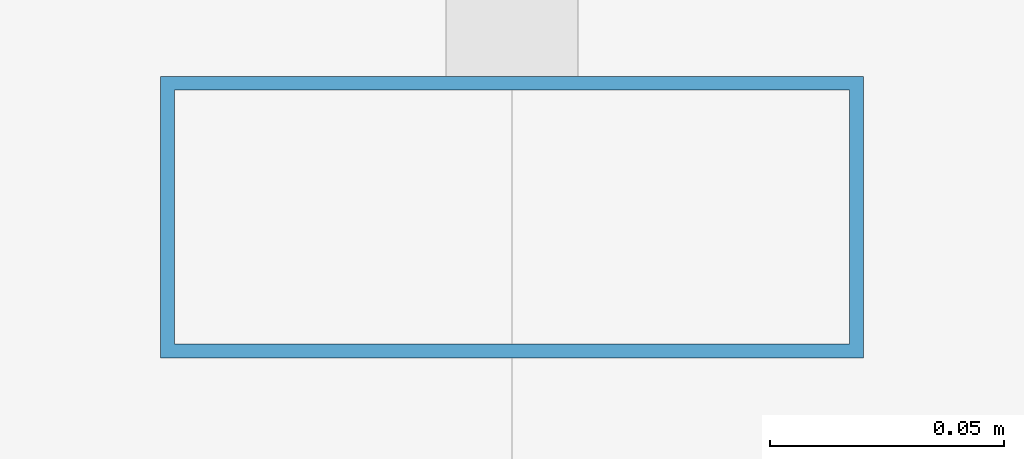
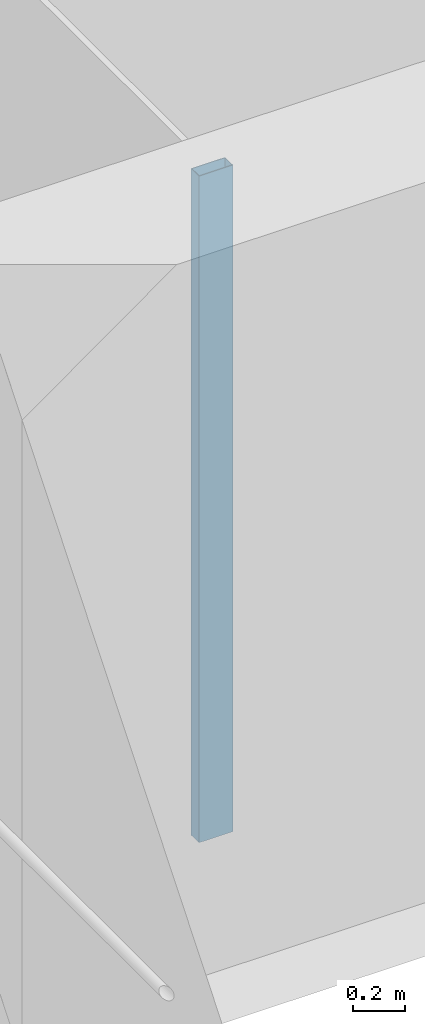
# One storey, part 11 of 46: 1 member, 1 element without a shape of its own.
"""IFC4 building model written with IfcOpenShell, lengths in metres."""

from ifc_helpers import new_model, si_unit, direction, frame, origin, origin_2d, place, context, subcontext, project, spatial, hollow_rectangle, extrude, material, material_profile, profile_set, type_object, element, aggregate, save


model = new_model("IFC4")

# Units and contexts
model_context = context("Model", 3, precision=1e-05, world=origin(), true_north=direction((0.0, 1.0)))
body_context = subcontext(model_context, "Body", "Model", "MODEL_VIEW")
ifc_project = project(units=[si_unit("LENGTHUNIT", "METRE"), si_unit("AREAUNIT", "SQUARE_METRE"), si_unit("VOLUMEUNIT", "CUBIC_METRE"), si_unit("PLANEANGLEUNIT", "RADIAN"), si_unit("MASSUNIT", "GRAM", prefix="KILO")], contexts=[model_context])

# Site, building, storey
site_placement = place(None, origin())
site = spatial("IfcSite", under=ifc_project, at=site_placement, CompositionType="ELEMENT")
building_placement = place(site_placement, origin())
building = spatial("IfcBuilding", under=site, at=building_placement, Name="Altepetl Exchange Towers", CompositionType="ELEMENT")
storey_placement = place(building_placement, frame((0.0, 0.0, 124.39990234375)))
storey = spatial("IfcBuildingStorey", under=building, at=storey_placement, Name="L30", CompositionType="ELEMENT", Elevation=124.39990234375)

# Curtain wall, member
ifc_material_1 = material(Name="Aluminium 6063-T6 glazing", Category="aluminium")
curtain_wall_type = type_object("IfcCurtainWallType", Name="Loggia glazing system", PredefinedType="NOTDEFINED", material=ifc_material_1)
curtain_wall_placement = place(storey_placement, origin())
curtain_wall = element("IfcCurtainWall", 1, at=curtain_wall_placement, inside=storey, type_object=curtain_wall_type, Name="CW1 run", PredefinedType="NOTDEFINED")
ifc_material_2 = material(Name="Aluminium 6063-T6", Category="aluminium")
ifc_material_profile = material_profile(ifc_material_2, hollow_rectangle(XDim=0.06005859375, YDim=0.14990234375, WallThickness=0.0029296875, at=origin_2d()), Name="Mullion 60x150 aluminium")
ifc_profile_set = profile_set([ifc_material_profile], Name="Aluminium 6063-T6")
member_type = type_object("IfcMemberType", Name="Mullion 60x150 aluminium", PredefinedType="MULLION", material=ifc_profile_set)
member_placement = place(storey_placement, frame((42.5, 58.60498046875, 0.0), z_axis=(0.0, 0.0, 1.0), x_axis=(0.0, -1.0, 0.0)))
member = element("IfcMember", 2, at=member_placement, type_object=member_type, Name="MU1 mullion", PredefinedType="MULLION", context=body_context, shape_type="SweptSolid", body=[
    extrude(hollow_rectangle(XDim=0.06005859375, YDim=0.14990234375, WallThickness=0.0029296875, at=origin_2d()), origin(), (0.0, 0.0, 1.0), 3.10009765625),
])
aggregate(curtain_wall, [member])

save(model, "model.ifc")
